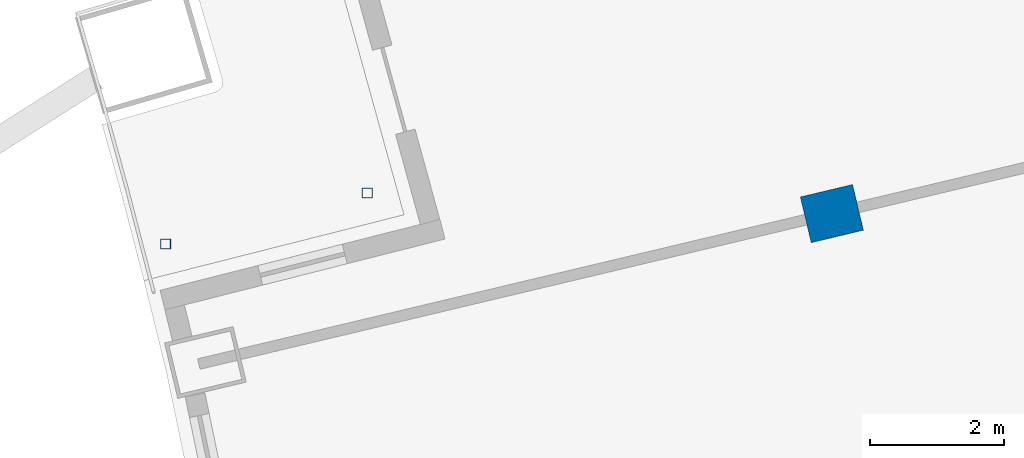
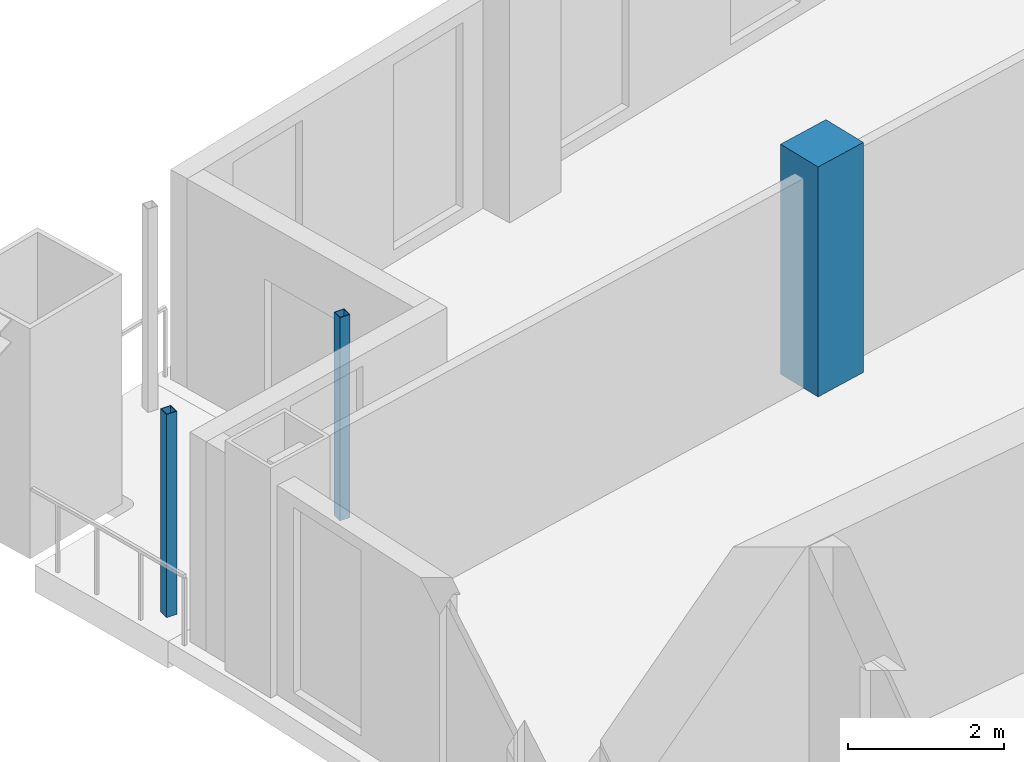
# One storey, part 5 of 18: 3 columns.
"""IFC4 building model written with IfcOpenShell, lengths in metres."""

from ifc_helpers import new_model, si_unit, direction, frame, origin, origin_2d, place, context, subcontext, project, spatial, rectangle, hollow_rectangle, extrude, material, material_profile, profile_set, type_object, element, save


model = new_model("IFC4")

# Units and contexts
model_context = context("Model", 3, precision=1e-05, world=origin(), true_north=direction((0.0, 1.0)))
body_context = subcontext(model_context, "Body", "Model", "MODEL_VIEW")
ifc_project = project(units=[si_unit("LENGTHUNIT", "METRE"), si_unit("AREAUNIT", "SQUARE_METRE"), si_unit("VOLUMEUNIT", "CUBIC_METRE"), si_unit("PLANEANGLEUNIT", "RADIAN"), si_unit("MASSUNIT", "GRAM", prefix="KILO")], contexts=[model_context])

# Site, building, storey
site_placement = place(None, origin())
site = spatial("IfcSite", under=ifc_project, at=site_placement, CompositionType="ELEMENT")
building_placement = place(site_placement, origin())
building = spatial("IfcBuilding", under=site, at=building_placement, Name="Alderwake Tower", CompositionType="ELEMENT")
storey_placement = place(building_placement, frame((0.0, 0.0, 225.199951171875)))
storey = spatial("IfcBuildingStorey", under=building, at=storey_placement, Name="L56", CompositionType="ELEMENT", Elevation=225.199951171875)

# Columns
ifc_material_1 = material(Name="Concrete C70/85", Category="concrete")
ifc_material_profile_1 = material_profile(ifc_material_1, rectangle(XDim=0.699951171875, YDim=0.800048828125, at=origin_2d()), Name="RC 800X700")
ifc_profile_set_1 = profile_set([ifc_material_profile_1], Name="Concrete C70/85")
column_type_1 = type_object("IfcColumnType", Name="Interior column Z4", PredefinedType="COLUMN", material=ifc_profile_set_1)
column_placement = place(storey_placement, frame((23.322021484375, 85.555908203125, 0.0), z_axis=(0.0, 0.0, 1.0), x_axis=(-0.231221547198, 0.972901123502, 0.0)))
element("IfcColumn", 1, at=column_placement, inside=storey, type_object=column_type_1, Name="Column R11-C1", PredefinedType="COLUMN", context=body_context, shape_type="SweptSolid", body=[
    extrude(rectangle(XDim=0.699951171875, YDim=0.800048828125, at=origin_2d()), origin(), (0.0, 0.0, 1.0), 3.60009765625),
])
ifc_material_2 = material(Name="Steel ASTM A500 Grade C", Category="steel")
ifc_material_profile_2 = material_profile(ifc_material_2, hollow_rectangle(XDim=0.15234375, YDim=0.15234375, WallThickness=0.0087890625, at=origin_2d()), Name="HSS6X6X3/8")
ifc_profile_set_2 = profile_set([ifc_material_profile_2], Name="Steel ASTM A500 Grade C")
column_type_2 = type_object("IfcColumnType", Name="Light post HSS6X6X3/8", PredefinedType="COLUMN", material=ifc_profile_set_2)
for number, where, z_axis, x_axis, name in (
    (2, (13.3896484375, 85.103515625, 0.0), (0.0, 0.0, 1.0), (1.0, 0.0, 0.0), "Terrace post RN1"),
    (3, (16.39501953125, 85.864013671875, 0.0), (0.0, 0.0, 1.0), (1.0, 0.0, 0.0), "Terrace post RN3"),
):
    element("IfcColumn", number, at=place(storey_placement, frame(where, z_axis=z_axis, x_axis=x_axis)), inside=storey, type_object=column_type_2, Name=name, PredefinedType="COLUMN", context=body_context, shape_type="SweptSolid", body=[
        extrude(hollow_rectangle(XDim=0.15234375, YDim=0.15234375, WallThickness=0.0087890625, at=origin_2d()), origin(), (0.0, 0.0, 1.0), 3.179931640625),
    ])

save(model, "model.ifc")
